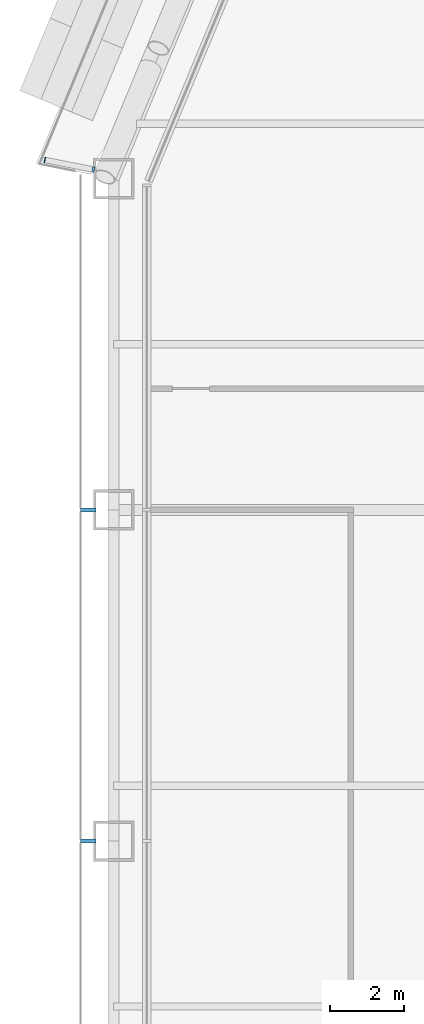
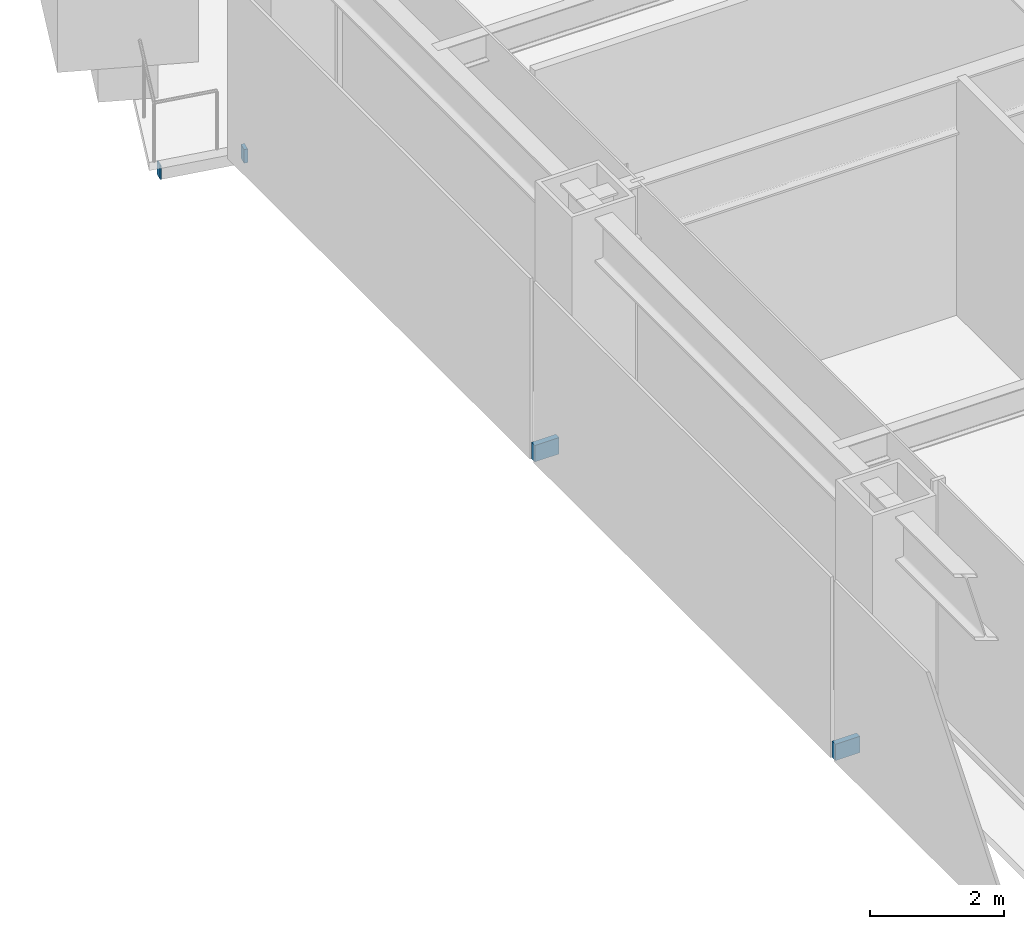
# One storey, part 19 of 29: 4 discrete accessories.
"""IFC4 building model written with IfcOpenShell, lengths in metres."""

import ifcopenshell
import ifcopenshell.guid

model = None  # the IFC model being written
_history = None  # IfcOwnerHistory: only IFC2X3 demands one
_inside = {}  # id of a spatial element -> (the spatial element, [elements in it])
_under = {}  # id of a project, library or spatial element -> (it, [spatial elements below it])
_declared = {}  # id of a project -> (the project, [libraries it declares])
_typed = {}  # id of a type object -> (the type object, [elements of that type])
_made_of = {}  # id of a material, layer set ... -> (it, [elements and type objects made of it])


def new_model(schema):
    """Start an empty IFC model of exactly this schema.

    Asked for "IFC4X3", IfcOpenShell would pick the latest addendum, in which some entities
    have other attributes; the version numbers below select the first issue.
    IFC2X3 requires an IfcOwnerHistory on every rooted entity: one is made here for all.
    """
    global model, _history
    if schema == "IFC4X3":
        model = ifcopenshell.file(schema_version=(4, 3, 0, 0))
    else:
        model = ifcopenshell.file(schema=schema)
    _inside.clear()
    _under.clear()
    _declared.clear()
    _typed.clear()
    _made_of.clear()
    _history = None
    if model.schema == "IFC2X3":
        org = make("IfcOrganization", Name="unknown")
        user = make(
            "IfcPersonAndOrganization",
            ThePerson=make("IfcPerson", FamilyName="unknown"),
            TheOrganization=org,
        )
        app = make(
            "IfcApplication",
            ApplicationDeveloper=org,
            Version="unknown",
            ApplicationFullName="unknown",
            ApplicationIdentifier="unknown",
        )
        _history = make(
            "IfcOwnerHistory",
            OwningUser=user,
            OwningApplication=app,
            ChangeAction="ADDED",
            CreationDate=0,
        )
    return model


def make(cls, **values):
    """One entity of the class cls with the attributes given. An attribute that is None is left unset."""
    return model.create_entity(
        cls, **{name: value for name, value in values.items() if value is not None}
    )


def rooted(cls, **values):
    """An entity with a GlobalId (a new one), such as an element, a storey or a relation."""
    return make(cls, GlobalId=ifcopenshell.guid.new(), OwnerHistory=_history, **values)


def si_unit(unit_type, name, prefix=None):
    """IfcSIUnit, for example si_unit("LENGTHUNIT", "METRE", prefix="MILLI")."""
    return make("IfcSIUnit", UnitType=unit_type, Prefix=prefix, Name=name)


def assignment(units):
    """IfcUnitAssignment: the units of a project."""
    return None if units is None else make("IfcUnitAssignment", Units=units)


def point(xyz):
    """IfcCartesianPoint."""
    return None if xyz is None else make("IfcCartesianPoint", Coordinates=xyz)


def direction(xyz):
    """IfcDirection."""
    return None if xyz is None else make("IfcDirection", DirectionRatios=xyz)


def frame(location, z_axis=None, x_axis=None):
    """IfcAxis2Placement3D, a coordinate frame: its origin and axes. An axis left out is left unset."""
    return make(
        "IfcAxis2Placement3D",
        Location=point(location),
        Axis=direction(z_axis),
        RefDirection=direction(x_axis),
    )


def frame_2d(location, x_axis=None):
    """IfcAxis2Placement2D, a coordinate frame in the plane: its origin and x axis."""
    return make(
        "IfcAxis2Placement2D", Location=point(location), RefDirection=direction(x_axis)
    )


def origin():
    """The frame at (0, 0, 0) with its axes left unset."""
    return frame((0.0, 0.0, 0.0))


def origin_2d():
    """The frame at (0, 0) in the plane with its x axis left unset."""
    return frame_2d((0.0, 0.0))


def place(relative_to, where):
    """IfcLocalPlacement: puts the frame where relative to a parent placement (None: the world)."""
    return make(
        "IfcLocalPlacement", PlacementRelTo=relative_to, RelativePlacement=where
    )


def context(
    kind, dimensions, precision=None, world=None, true_north=None, identifier=None
):
    """IfcGeometricRepresentationContext, for example the 3D "Model" context."""
    return make(
        "IfcGeometricRepresentationContext",
        ContextIdentifier=identifier,
        ContextType=kind,
        CoordinateSpaceDimension=dimensions,
        Precision=precision,
        WorldCoordinateSystem=world,
        TrueNorth=true_north,
    )


def subcontext(parent, identifier, kind, view, scale=None):
    """IfcGeometricRepresentationSubContext, for example "Body" below "Model"."""
    return make(
        "IfcGeometricRepresentationSubContext",
        ContextIdentifier=identifier,
        ContextType=kind,
        ParentContext=parent,
        TargetScale=scale,
        TargetView=view,
    )


def project(units=None, contexts=None):
    """IfcProject with its units and contexts."""
    return rooted(
        "IfcProject",
        Name="project",
        RepresentationContexts=contexts,
        UnitsInContext=assignment(units),
    )


def spatial(cls, under=None, at=None, **own):
    """A site, building, storey or space (cls), placed at a placement, below another one or the project."""
    s = rooted(cls, ObjectPlacement=at, **own)
    if under is not None:
        _under.setdefault(under.id(), (under, []))[1].append(s)
    return s


def profile(cls, at=None, kind="AREA", **sizes):
    """A parametric profile (cls). Its sizes go by their IFC names, for example OverallWidth=200.0."""
    return make(cls, ProfileType=kind, Position=at, **sizes)


def rectangle(**sizes):
    """IfcRectangleProfileDef."""
    return profile("IfcRectangleProfileDef", **sizes)


def extrude(swept, where, along, depth):
    """IfcExtrudedAreaSolid: the profile swept, set in the frame where, extruded along a direction by depth."""
    return make(
        "IfcExtrudedAreaSolid",
        SweptArea=swept,
        Position=where,
        ExtrudedDirection=direction(along),
        Depth=depth,
    )


def shape(context_of_items, identifier, shape_type, items):
    """IfcShapeRepresentation: the items that make up one representation, for example the "Body"."""
    return make(
        "IfcShapeRepresentation",
        ContextOfItems=context_of_items,
        RepresentationIdentifier=identifier,
        RepresentationType=shape_type,
        Items=items,
    )


def material(Name=None, Category=None):
    """IfcMaterial."""
    return make("IfcMaterial", Name=Name, Category=Category)


def layer(
    of_material, thickness, ventilated=None, Name=None, Category=None, Priority=None
):
    """IfcMaterialLayer: one layer of a wall or slab, of a material (None: an air gap)."""
    return make(
        "IfcMaterialLayer",
        Material=of_material,
        LayerThickness=thickness,
        IsVentilated=ventilated,
        Name=Name,
        Category=Category,
        Priority=Priority,
    )


def layer_set(layers, Name=None):
    """IfcMaterialLayerSet."""
    return make("IfcMaterialLayerSet", MaterialLayers=layers, LayerSetName=Name)


def made_of(thing, what):
    """Note that an element or type object is made of a material, layer set ...; save() writes the relation."""
    if what is not None:
        _made_of.setdefault(what.id(), (what, []))[1].append(thing)
    return thing


def type_object(cls, material=None, **own):
    """A type object (cls), such as IfcWallType, which elements share."""
    return made_of(rooted(cls, **own), material)


def element(
    cls,
    number,
    at=None,
    inside=None,
    cuts=None,
    type_object=None,
    material=None,
    context=None,
    identifier="Body",
    shape_type=None,
    held_by="IfcProductDefinitionShape",
    body=None,
    shapes=None,
    **own,
):
    """One element of the class cls, such as IfcWall. Its Tag is "e" and its number.

    at: its placement. inside: the storey or other place that contains it. cuts: it is an
    opening in that element (IfcRelVoidsElement). A single representation is given by context,
    identifier, shape_type and body (its items); several are given by shapes. held_by: the class
    of the entity that holds the representations. save() writes the other relations.
    """
    e = rooted(cls, Tag="e%d" % number, ObjectPlacement=at, **own)
    if body is not None:
        shapes = [shape(context, identifier, shape_type, body)]
    if shapes is not None:
        e.Representation = make(held_by, Representations=shapes)
    if inside is not None:
        _inside.setdefault(inside.id(), (inside, []))[1].append(e)
    if cuts is not None:
        rooted(
            "IfcRelVoidsElement", RelatingBuildingElement=cuts, RelatedOpeningElement=e
        )
    if type_object is not None:
        _typed.setdefault(type_object.id(), (type_object, []))[1].append(e)
    return made_of(e, material)


def aggregate(whole, parts):
    """IfcRelAggregates: a whole, such as a stair, and the parts it consists of."""
    return rooted("IfcRelAggregates", RelatingObject=whole, RelatedObjects=parts)


def save(model, path):
    """Write the relations noted so far, then the file.

    IfcRelAggregates (storeys below a building ...), IfcRelContainedInSpatialStructure (elements
    in a storey), IfcRelDefinesByType, IfcRelAssociatesMaterial and IfcRelDeclares: one each for
    every whole, place, type object, material and project.
    """
    for whole, parts in _under.values():
        aggregate(whole, parts)
    for where, things in _inside.values():
        rooted(
            "IfcRelContainedInSpatialStructure",
            RelatedElements=things,
            RelatingStructure=where,
        )
    for kind, things in _typed.values():
        rooted("IfcRelDefinesByType", RelatedObjects=things, RelatingType=kind)
    for what, things in _made_of.values():
        rooted("IfcRelAssociatesMaterial", RelatedObjects=things, RelatingMaterial=what)
    for by, libraries in _declared.values():
        rooted("IfcRelDeclares", RelatingContext=by, RelatedDefinitions=libraries)
    model.write(path)


model = new_model("IFC4")

# Units and contexts
model_context = context("Model", 3, precision=1e-05, world=origin(), true_north=direction((0.0, 1.0)))
body_context = subcontext(model_context, "Body", "Model", "MODEL_VIEW")
ifc_project = project(units=[si_unit("LENGTHUNIT", "METRE"), si_unit("AREAUNIT", "SQUARE_METRE"), si_unit("VOLUMEUNIT", "CUBIC_METRE"), si_unit("PLANEANGLEUNIT", "RADIAN"), si_unit("MASSUNIT", "GRAM", prefix="KILO")], contexts=[model_context])

# Site, building, storey
site_placement = place(None, origin())
site = spatial("IfcSite", under=ifc_project, at=site_placement, CompositionType="ELEMENT")
building_placement = place(site_placement, origin())
building = spatial("IfcBuilding", under=site, at=building_placement, Name="Siwar Civic Tower", CompositionType="ELEMENT")
storey_placement = place(building_placement, frame((0.0, 0.0, 49.199951171875)))
storey = spatial("IfcBuildingStorey", under=building, at=storey_placement, Name="L10", CompositionType="ELEMENT", Elevation=49.199951171875)

# Discrete accessories
ifc_material_1 = material(Name="Stainless steel 316", Category="steel")
discrete_accessory_type_1 = type_object("IfcDiscreteAccessoryType", Name="ENV-BRACKET", PredefinedType="BRACKET", material=ifc_material_1)
for number, where, z_axis, x_axis, name in (
    (1, (-32.18994140625, 13.5, -0.14990234375), (0.0, 0.0, 1.0), (-1.0, 0.0, 0.0), "Bracket outer skin joint W-01"),
    (2, (-32.18994140625, 4.5, -0.14990234375), (0.0, 0.0, 1.0), (-1.0, 0.0, 0.0), "Bracket outer skin joint W-02"),
):
    element("IfcDiscreteAccessory", number, at=place(storey_placement, frame(where, z_axis=z_axis, x_axis=x_axis)), inside=storey, type_object=discrete_accessory_type_1, Name=name, PredefinedType="BRACKET", context=body_context, shape_type="SweptSolid", body=[
        extrude(rectangle(XDim=0.419921875, YDim=0.10009765625, at=origin_2d()), origin(), (0.0, 0.0, 1.0), 0.300048828125),
    ])
discrete_accessory_1_placement = place(storey_placement, frame((-32.050048828125, 22.752197265625, -0.39990234375), z_axis=(0.0, 0.0, 1.0), x_axis=(-0.980785280403, 0.195090322016, 0.0)))
element("IfcDiscreteAccessory", 3, at=discrete_accessory_1_placement, inside=storey, type_object=discrete_accessory_type_1, Name="Bracket balcony cantilever beam NW 3", PredefinedType="BRACKET", context=body_context, shape_type="SweptSolid", body=[
    extrude(rectangle(XDim=0.06005859375, YDim=0.14990234375, at=origin_2d()), origin(), (0.0, 0.0, 1.0), 0.25),
])
ifc_material_2 = material(Name="Steel S355", Category="steel")
ifc_layer = layer(ifc_material_2, 0.02001953125)
ifc_layer_set = layer_set([ifc_layer], Name="Steel S355")
discrete_accessory_type_2 = type_object("IfcDiscreteAccessoryType", Name="STR-END-CAP", PredefinedType="USERDEFINED", material=ifc_layer_set)
discrete_accessory_2_placement = place(storey_placement, frame((-33.36865234375, 23.014404296875, -0.39990234375), z_axis=(0.0, 0.0, 1.0), x_axis=(-0.980785280277, 0.195090322649, 0.0)))
element("IfcDiscreteAccessory", 4, at=discrete_accessory_2_placement, inside=storey, type_object=discrete_accessory_type_2, Name="End cap plate Balcony cantilever beam NW 3", ObjectType="END CAP PLATE", PredefinedType="USERDEFINED", context=body_context, shape_type="SweptSolid", body=[
    extrude(rectangle(XDim=0.02001953125, YDim=0.14990234375, at=origin_2d()), origin(), (0.0, 0.0, 1.0), 0.25),
])

save(model, "model.ifc")
